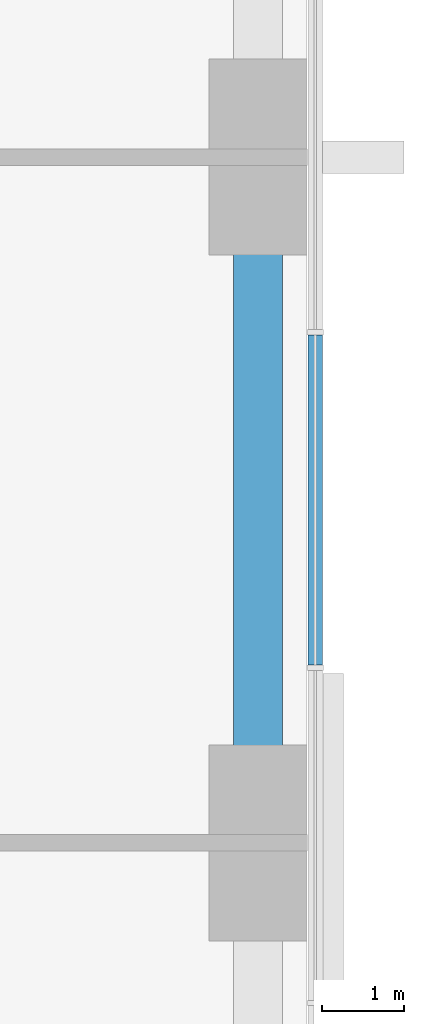
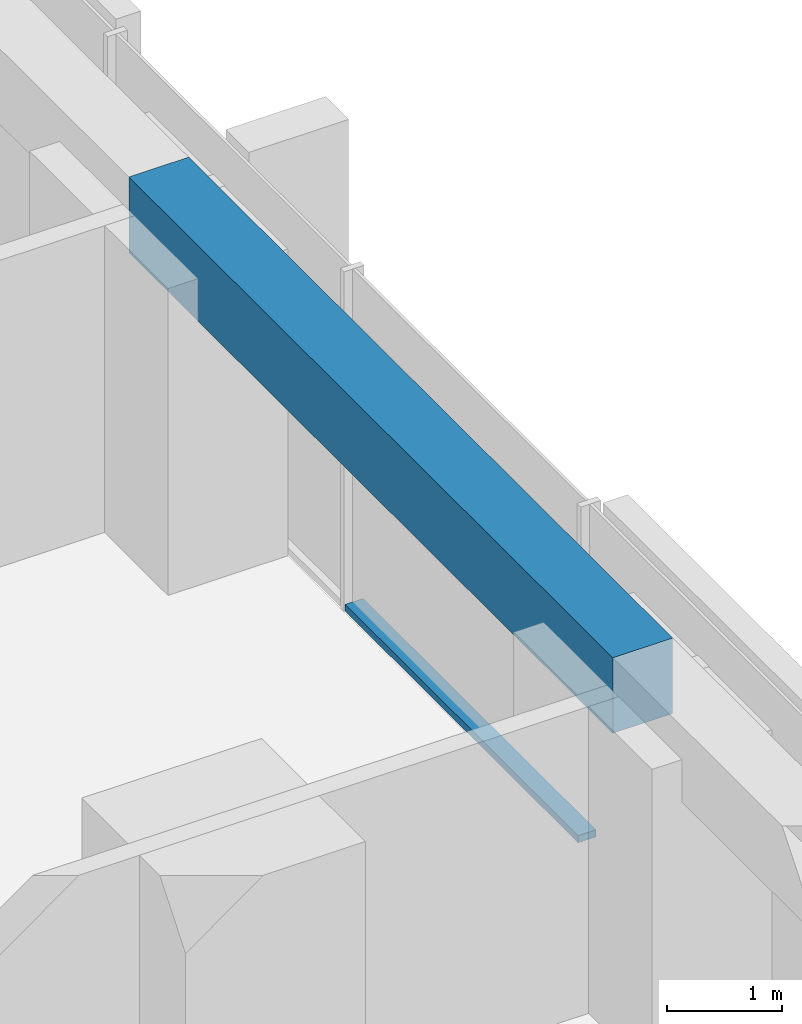
# One storey, part 5 of 17: 1 beam, 1 member, 1 element without a shape of its own.
"""IFC4 building model written with IfcOpenShell, lengths in metres."""

from ifc_helpers import new_model, si_unit, direction, frame, origin, origin_2d, place, context, subcontext, project, spatial, rectangle, extrude, material, material_profile, profile_set, type_object, element, aggregate, save


model = new_model("IFC4")

# Units and contexts
model_context = context("Model", 3, precision=1e-05, world=origin(), true_north=direction((0.0, 1.0)))
body_context = subcontext(model_context, "Body", "Model", "MODEL_VIEW")
ifc_project = project(units=[si_unit("LENGTHUNIT", "METRE"), si_unit("AREAUNIT", "SQUARE_METRE"), si_unit("VOLUMEUNIT", "CUBIC_METRE"), si_unit("PLANEANGLEUNIT", "RADIAN"), si_unit("MASSUNIT", "GRAM", prefix="KILO")], contexts=[model_context])

# Site, building, storey
site_placement = place(None, origin())
site = spatial("IfcSite", under=ifc_project, at=site_placement, CompositionType="ELEMENT")
building_placement = place(site_placement, origin())
building = spatial("IfcBuilding", under=site, at=building_placement, Name="Dunama Terrace Hotel", CompositionType="ELEMENT")
storey_placement = place(building_placement, frame((0.0, 0.0, 34.199951171875)))
storey = spatial("IfcBuildingStorey", under=building, at=storey_placement, Name="L07", CompositionType="ELEMENT", Elevation=34.199951171875)

# Curtain wall, member
ifc_material_1 = material(Name="Aluminium curtain wall system", Category="aluminium")
curtain_wall_type = type_object("IfcCurtainWallType", Name="Unitised fritted glass wall CW-A", PredefinedType="NOTDEFINED", material=ifc_material_1)
curtain_wall_placement = place(storey_placement, origin())
curtain_wall = element("IfcCurtainWall", 1, at=curtain_wall_placement, inside=storey, type_object=curtain_wall_type, Name="Unitised fritted glass wall CW-A L07", PredefinedType="NOTDEFINED")
ifc_material_2 = material(Name="Aluminium transom", Category="aluminium")
ifc_material_profile_1 = material_profile(ifc_material_2, rectangle(XDim=0.179931640625, YDim=0.074951171875, at=origin_2d()), Name="CWA TRANSOM 180X75")
ifc_profile_set_1 = profile_set([ifc_material_profile_1], Name="Aluminium transom")
member_type = type_object("IfcMemberType", Name="CWA transom 180x75", PredefinedType="USERDEFINED", material=ifc_profile_set_1)
member_placement = place(storey_placement, frame((58.89990234375, 27.37890625, 0.03759765625), z_axis=(0.0, 1.0, 0.0), x_axis=(-1.0, 0.0, 0.0)))
member = element("IfcMember", 2, at=member_placement, type_object=member_type, Name="CWA transom", ObjectType="TRANSOM", PredefinedType="USERDEFINED", context=body_context, shape_type="SweptSolid", body=[
    extrude(rectangle(XDim=0.179931640625, YDim=0.074951171875, at=origin_2d()), origin(), (0.0, 0.0, 1.0), 4.0419921875),
])
aggregate(curtain_wall, [member])

# Beam
ifc_material_3 = material(Name="Concrete C40/50", Category="concrete")
ifc_material_profile_2 = material_profile(ifc_material_3, rectangle(XDim=0.60009765625, YDim=0.800048828125, at=origin_2d()), Name="RC 600x800")
ifc_profile_set_2 = profile_set([ifc_material_profile_2], Name="Concrete C40/50")
beam_type = type_object("IfcBeamType", Name="Edge beam RC 600x800", PredefinedType="SPANDREL", material=ifc_profile_set_2)
beam_placement = place(storey_placement, frame((58.199951171875, 25.199951171875, 3.199951171875), z_axis=(0.0, 1.0, 0.0), x_axis=(-1.0, 0.0, 0.0)))
element("IfcBeam", 3, at=beam_placement, inside=storey, type_object=beam_type, Name="Edge beam under L08", PredefinedType="SPANDREL", context=body_context, shape_type="SweptSolid", body=[
    extrude(rectangle(XDim=0.60009765625, YDim=0.800048828125, at=origin_2d()), origin(), (0.0, 0.0, 1.0), 8.400146484375),
])

save(model, "model.ifc")
